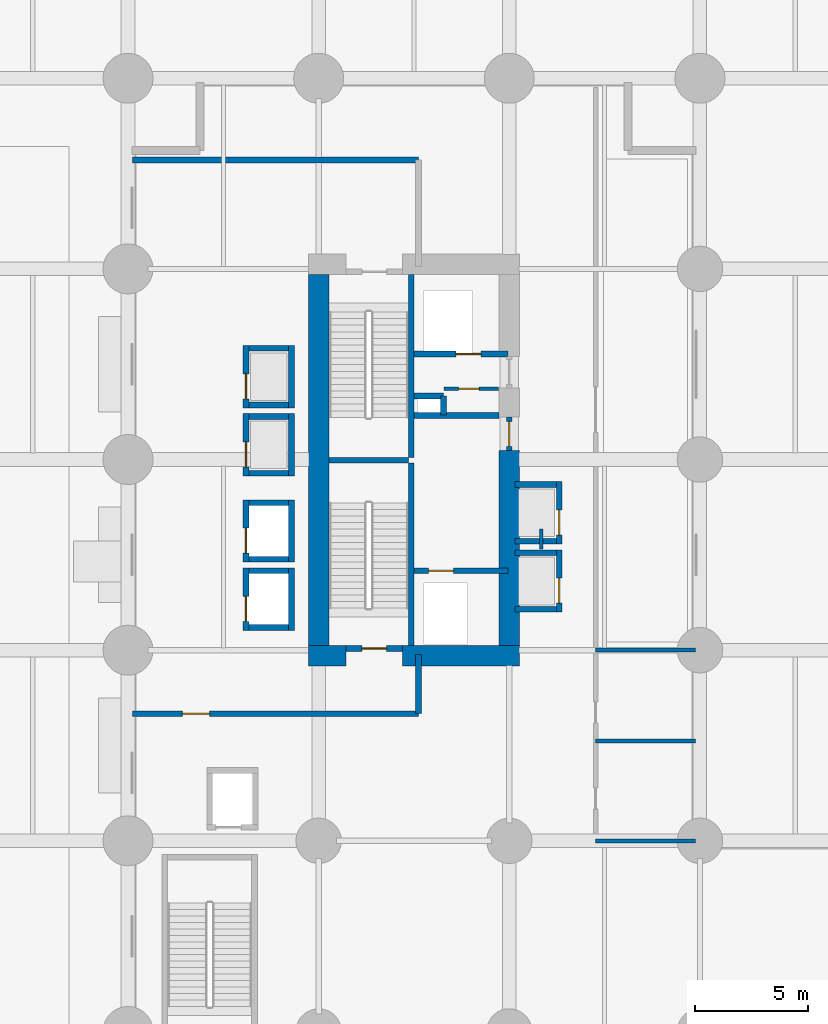
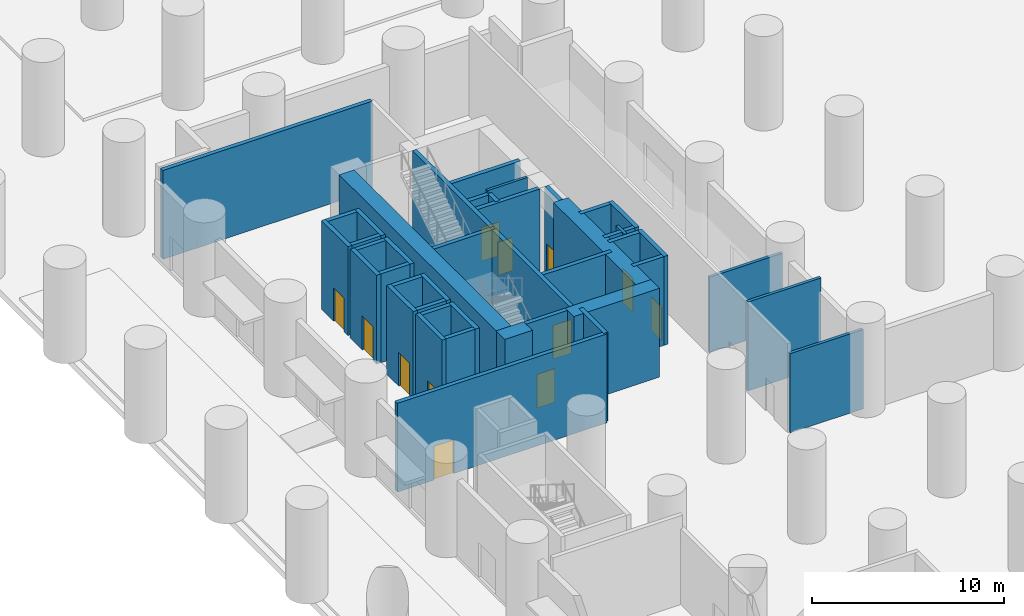
# One storey, part 7 of 13: 44 walls, 12 doors, 12 openings.
"""IFC4 building model written with IfcOpenShell, lengths in metres."""

import ifcopenshell
import ifcopenshell.guid

model = None  # the IFC model being written
_history = None  # IfcOwnerHistory: only IFC2X3 demands one
_inside = {}  # id of a spatial element -> (the spatial element, [elements in it])
_under = {}  # id of a project, library or spatial element -> (it, [spatial elements below it])
_declared = {}  # id of a project -> (the project, [libraries it declares])
_typed = {}  # id of a type object -> (the type object, [elements of that type])
_made_of = {}  # id of a material, layer set ... -> (it, [elements and type objects made of it])


def new_model(schema):
    """Start an empty IFC model of exactly this schema.

    Asked for "IFC4X3", IfcOpenShell would pick the latest addendum, in which some entities
    have other attributes; the version numbers below select the first issue.
    IFC2X3 requires an IfcOwnerHistory on every rooted entity: one is made here for all.
    """
    global model, _history
    if schema == "IFC4X3":
        model = ifcopenshell.file(schema_version=(4, 3, 0, 0))
    else:
        model = ifcopenshell.file(schema=schema)
    _inside.clear()
    _under.clear()
    _declared.clear()
    _typed.clear()
    _made_of.clear()
    _history = None
    if model.schema == "IFC2X3":
        org = make("IfcOrganization", Name="unknown")
        user = make(
            "IfcPersonAndOrganization",
            ThePerson=make("IfcPerson", FamilyName="unknown"),
            TheOrganization=org,
        )
        app = make(
            "IfcApplication",
            ApplicationDeveloper=org,
            Version="unknown",
            ApplicationFullName="unknown",
            ApplicationIdentifier="unknown",
        )
        _history = make(
            "IfcOwnerHistory",
            OwningUser=user,
            OwningApplication=app,
            ChangeAction="ADDED",
            CreationDate=0,
        )
    return model


def make(cls, **values):
    """One entity of the class cls with the attributes given. An attribute that is None is left unset."""
    return model.create_entity(
        cls, **{name: value for name, value in values.items() if value is not None}
    )


def rooted(cls, **values):
    """An entity with a GlobalId (a new one), such as an element, a storey or a relation."""
    return make(cls, GlobalId=ifcopenshell.guid.new(), OwnerHistory=_history, **values)


def si_unit(unit_type, name, prefix=None):
    """IfcSIUnit, for example si_unit("LENGTHUNIT", "METRE", prefix="MILLI")."""
    return make("IfcSIUnit", UnitType=unit_type, Prefix=prefix, Name=name)


def assignment(units):
    """IfcUnitAssignment: the units of a project."""
    return None if units is None else make("IfcUnitAssignment", Units=units)


def point(xyz):
    """IfcCartesianPoint."""
    return None if xyz is None else make("IfcCartesianPoint", Coordinates=xyz)


def direction(xyz):
    """IfcDirection."""
    return None if xyz is None else make("IfcDirection", DirectionRatios=xyz)


def frame(location, z_axis=None, x_axis=None):
    """IfcAxis2Placement3D, a coordinate frame: its origin and axes. An axis left out is left unset."""
    return make(
        "IfcAxis2Placement3D",
        Location=point(location),
        Axis=direction(z_axis),
        RefDirection=direction(x_axis),
    )


def frame_2d(location, x_axis=None):
    """IfcAxis2Placement2D, a coordinate frame in the plane: its origin and x axis."""
    return make(
        "IfcAxis2Placement2D", Location=point(location), RefDirection=direction(x_axis)
    )


def origin():
    """The frame at (0, 0, 0) with its axes left unset."""
    return frame((0.0, 0.0, 0.0))


def place(relative_to, where):
    """IfcLocalPlacement: puts the frame where relative to a parent placement (None: the world)."""
    return make(
        "IfcLocalPlacement", PlacementRelTo=relative_to, RelativePlacement=where
    )


def context(
    kind, dimensions, precision=None, world=None, true_north=None, identifier=None
):
    """IfcGeometricRepresentationContext, for example the 3D "Model" context."""
    return make(
        "IfcGeometricRepresentationContext",
        ContextIdentifier=identifier,
        ContextType=kind,
        CoordinateSpaceDimension=dimensions,
        Precision=precision,
        WorldCoordinateSystem=world,
        TrueNorth=true_north,
    )


def subcontext(parent, identifier, kind, view, scale=None):
    """IfcGeometricRepresentationSubContext, for example "Body" below "Model"."""
    return make(
        "IfcGeometricRepresentationSubContext",
        ContextIdentifier=identifier,
        ContextType=kind,
        ParentContext=parent,
        TargetScale=scale,
        TargetView=view,
    )


def project(units=None, contexts=None):
    """IfcProject with its units and contexts."""
    return rooted(
        "IfcProject",
        Name="project",
        RepresentationContexts=contexts,
        UnitsInContext=assignment(units),
    )


def spatial(cls, under=None, at=None, **own):
    """A site, building, storey or space (cls), placed at a placement, below another one or the project."""
    s = rooted(cls, ObjectPlacement=at, **own)
    if under is not None:
        _under.setdefault(under.id(), (under, []))[1].append(s)
    return s


def profile(cls, at=None, kind="AREA", **sizes):
    """A parametric profile (cls). Its sizes go by their IFC names, for example OverallWidth=200.0."""
    return make(cls, ProfileType=kind, Position=at, **sizes)


def rectangle(**sizes):
    """IfcRectangleProfileDef."""
    return profile("IfcRectangleProfileDef", **sizes)


def extrude(swept, where, along, depth):
    """IfcExtrudedAreaSolid: the profile swept, set in the frame where, extruded along a direction by depth."""
    return make(
        "IfcExtrudedAreaSolid",
        SweptArea=swept,
        Position=where,
        ExtrudedDirection=direction(along),
        Depth=depth,
    )


def shape(context_of_items, identifier, shape_type, items):
    """IfcShapeRepresentation: the items that make up one representation, for example the "Body"."""
    return make(
        "IfcShapeRepresentation",
        ContextOfItems=context_of_items,
        RepresentationIdentifier=identifier,
        RepresentationType=shape_type,
        Items=items,
    )


def material(Name=None, Category=None):
    """IfcMaterial."""
    return make("IfcMaterial", Name=Name, Category=Category)


def layer(
    of_material, thickness, ventilated=None, Name=None, Category=None, Priority=None
):
    """IfcMaterialLayer: one layer of a wall or slab, of a material (None: an air gap)."""
    return make(
        "IfcMaterialLayer",
        Material=of_material,
        LayerThickness=thickness,
        IsVentilated=ventilated,
        Name=Name,
        Category=Category,
        Priority=Priority,
    )


def layer_set(layers, Name=None):
    """IfcMaterialLayerSet."""
    return make("IfcMaterialLayerSet", MaterialLayers=layers, LayerSetName=Name)


def made_of(thing, what):
    """Note that an element or type object is made of a material, layer set ...; save() writes the relation."""
    if what is not None:
        _made_of.setdefault(what.id(), (what, []))[1].append(thing)
    return thing


def type_object(cls, material=None, **own):
    """A type object (cls), such as IfcWallType, which elements share."""
    return made_of(rooted(cls, **own), material)


def element(
    cls,
    number,
    at=None,
    inside=None,
    cuts=None,
    type_object=None,
    material=None,
    context=None,
    identifier="Body",
    shape_type=None,
    held_by="IfcProductDefinitionShape",
    body=None,
    shapes=None,
    **own,
):
    """One element of the class cls, such as IfcWall. Its Tag is "e" and its number.

    at: its placement. inside: the storey or other place that contains it. cuts: it is an
    opening in that element (IfcRelVoidsElement). A single representation is given by context,
    identifier, shape_type and body (its items); several are given by shapes. held_by: the class
    of the entity that holds the representations. save() writes the other relations.
    """
    e = rooted(cls, Tag="e%d" % number, ObjectPlacement=at, **own)
    if body is not None:
        shapes = [shape(context, identifier, shape_type, body)]
    if shapes is not None:
        e.Representation = make(held_by, Representations=shapes)
    if inside is not None:
        _inside.setdefault(inside.id(), (inside, []))[1].append(e)
    if cuts is not None:
        rooted(
            "IfcRelVoidsElement", RelatingBuildingElement=cuts, RelatedOpeningElement=e
        )
    if type_object is not None:
        _typed.setdefault(type_object.id(), (type_object, []))[1].append(e)
    return made_of(e, material)


def fill(opening, filler):
    """IfcRelFillsElement: the door or window that sits in an opening."""
    return rooted(
        "IfcRelFillsElement",
        RelatingOpeningElement=opening,
        RelatedBuildingElement=filler,
    )


def aggregate(whole, parts):
    """IfcRelAggregates: a whole, such as a stair, and the parts it consists of."""
    return rooted("IfcRelAggregates", RelatingObject=whole, RelatedObjects=parts)


def save(model, path):
    """Write the relations noted so far, then the file.

    IfcRelAggregates (storeys below a building ...), IfcRelContainedInSpatialStructure (elements
    in a storey), IfcRelDefinesByType, IfcRelAssociatesMaterial and IfcRelDeclares: one each for
    every whole, place, type object, material and project.
    """
    for whole, parts in _under.values():
        aggregate(whole, parts)
    for where, things in _inside.values():
        rooted(
            "IfcRelContainedInSpatialStructure",
            RelatedElements=things,
            RelatingStructure=where,
        )
    for kind, things in _typed.values():
        rooted("IfcRelDefinesByType", RelatedObjects=things, RelatingType=kind)
    for what, things in _made_of.values():
        rooted("IfcRelAssociatesMaterial", RelatedObjects=things, RelatingMaterial=what)
    for by, libraries in _declared.values():
        rooted("IfcRelDeclares", RelatingContext=by, RelatedDefinitions=libraries)
    model.write(path)


model = new_model("IFC4")

# Units and contexts
model_context = context("Model", 3, precision=1e-05, world=origin(), true_north=direction((0.0, 1.0)))
body_context = subcontext(model_context, "Body", "Model", "MODEL_VIEW")
ifc_project = project(units=[si_unit("LENGTHUNIT", "METRE"), si_unit("AREAUNIT", "SQUARE_METRE"), si_unit("VOLUMEUNIT", "CUBIC_METRE"), si_unit("PLANEANGLEUNIT", "RADIAN"), si_unit("MASSUNIT", "GRAM", prefix="KILO")], contexts=[model_context])

# Site, building, storey
site_placement = place(None, origin())
site = spatial("IfcSite", under=ifc_project, at=site_placement, CompositionType="ELEMENT")
building_placement = place(site_placement, origin())
building = spatial("IfcBuilding", under=site, at=building_placement, Name="Koriwani Terraces Tower", CompositionType="ELEMENT")
storey_placement = place(building_placement, origin())
storey = spatial("IfcBuildingStorey", under=building, at=storey_placement, Name="L00", CompositionType="ELEMENT", Elevation=0.0)

# Walls
ifc_material_1 = material(Name="Concrete C60/75", Category="concrete")
ifc_layer_1 = layer(ifc_material_1, 0.89990234375, Name="Concrete C60/75")
ifc_layer_set_1 = layer_set([ifc_layer_1], Name="Concrete C60/75")
wall_type_1 = type_object("IfcWallType", Name="WALL_CORE_RC_900", PredefinedType="SHEAR", material=ifc_layer_set_1)
wall_1_placement = place(storey_placement, frame((16.35009765625, 41.75, 0.0), z_axis=(0.0, 0.0, 1.0), x_axis=(1.0, 0.0, 0.0)))
element("IfcWall", 1, at=wall_1_placement, inside=storey, type_object=wall_type_1, Name="L00 West Split Core Shear Wall S1", PredefinedType="SHEAR", context=body_context, shape_type="SweptSolid", body=[
    extrude(rectangle(XDim=1.64990234375, YDim=0.89990234375, at=frame_2d((0.824951171875, 0.0))), origin(), (0.0, 0.0, 1.0), 5.64990234375),
])
wall_2_placement = place(storey_placement, frame((20.5, 41.75, 0.0), z_axis=(0.0, 0.0, 1.0), x_axis=(1.0, 0.0, 0.0)))
element("IfcWall", 2, at=wall_2_placement, inside=storey, type_object=wall_type_1, Name="L00 West Split Core Shear Wall S2", PredefinedType="SHEAR", context=body_context, shape_type="SweptSolid", body=[
    extrude(rectangle(XDim=5.14990234375, YDim=0.89990234375, at=frame_2d((2.574951171875, 0.0))), origin(), (0.0, 0.0, 1.0), 5.64990234375),
])
wall_3_placement = place(storey_placement, frame((16.800048828125, 42.199951171875, 0.0), z_axis=(0.0, 0.0, 1.0), x_axis=(0.0, 1.0, 0.0)))
element("IfcWall", 3, at=wall_3_placement, inside=storey, type_object=wall_type_1, Name="L00 West Split Core Shear Wall W1", PredefinedType="SHEAR", context=body_context, shape_type="SweptSolid", body=[
    extrude(rectangle(XDim=16.35009765625, YDim=0.89990234375, at=frame_2d((8.175048828125, 0.0))), origin(), (0.0, 0.0, 1.0), 5.64990234375),
])
wall_4_placement = place(storey_placement, frame((25.199951171875, 42.199951171875, 0.0), z_axis=(0.0, 0.0, 1.0), x_axis=(0.0, 1.0, 0.0)))
element("IfcWall", 4, at=wall_4_placement, inside=storey, type_object=wall_type_1, Name="L00 West Split Core Shear Wall E1", PredefinedType="SHEAR", context=body_context, shape_type="SweptSolid", body=[
    extrude(rectangle(XDim=8.60009765625, YDim=0.89990234375, at=frame_2d((4.300048828125, 0.0))), origin(), (0.0, 0.0, 1.0), 5.64990234375),
])
ifc_material_2 = material(Name="Fire-Rated Acoustic Gypsum Partition", Category="masonry")
ifc_layer_2 = layer(ifc_material_2, 0.179931640625, Name="Fire-Rated Acoustic Gypsum Partition")
ifc_layer_set_2 = layer_set([ifc_layer_2], Name="Fire-Rated Acoustic Gypsum Partition")
wall_type_2 = type_object("IfcWallType", Name="WALL_PLUMBING_180", PredefinedType="PLUMBINGWALL", material=ifc_layer_set_2)
wall_5_placement = place(storey_placement, frame((29.0, 33.60009765625, 0.0), z_axis=(0.0, 0.0, 1.0), x_axis=(1.0, 0.0, 0.0)))
element("IfcWall", 5, at=wall_5_placement, inside=storey, type_object=wall_type_2, Name="L00 Interior Wall WL00-WC-S", PredefinedType="PLUMBINGWALL", context=body_context, shape_type="SweptSolid", body=[
    extrude(rectangle(XDim=4.39990234375, YDim=0.179931640625, at=frame_2d((2.199951171875, 0.0))), origin(), (0.0, 0.0, 1.0), 5.0390625),
])
wall_6_placement = place(storey_placement, frame((29.0, 38.0, 0.0), z_axis=(0.0, 0.0, 1.0), x_axis=(1.0, 0.0, 0.0)))
element("IfcWall", 6, at=wall_6_placement, inside=storey, type_object=wall_type_2, Name="L00 Interior Wall WL00-WC-MID", PredefinedType="PLUMBINGWALL", context=body_context, shape_type="SweptSolid", body=[
    extrude(rectangle(XDim=4.39990234375, YDim=0.179931640625, at=frame_2d((2.199951171875, 0.0))), origin(), (0.0, 0.0, 1.0), 5.64990234375),
])
wall_7_placement = place(storey_placement, frame((29.0, 42.0, 0.0), z_axis=(0.0, 0.0, 1.0), x_axis=(1.0, 0.0, 0.0)))
element("IfcWall", 7, at=wall_7_placement, inside=storey, type_object=wall_type_2, Name="L00 Interior Wall WL00-WC-TOP", PredefinedType="PLUMBINGWALL", context=body_context, shape_type="SweptSolid", body=[
    extrude(rectangle(XDim=4.39990234375, YDim=0.179931640625, at=frame_2d((2.199951171875, 0.0))), origin(), (0.0, 0.0, 1.0), 4.800048828125),
])
ifc_material_3 = material(Name="Concrete C40/50", Category="concrete")
ifc_layer_3 = layer(ifc_material_3, 0.25, Name="Concrete C40/50")
ifc_layer_set_3 = layer_set([ifc_layer_3], Name="Concrete C40/50")
wall_type_3 = type_object("IfcWallType", Name="WALL_SHAFT_RATED_250", PredefinedType="SOLIDWALL", material=ifc_layer_set_3)
for number, where, z_axis, x_axis, name in (
    (8, (20.875, 42.199951171875, 0.0), (0.0, 0.0, 1.0), (0.0, 1.0, 0.0), "L00 West Split Core Web Wall MID1"),
    (9, (20.875, 50.5, 0.0), (0.0, 0.0, 1.0), (0.0, 1.0, 0.0), "L00 West Split Core Web Wall MID2"),
):
    element("IfcWall", number, at=place(storey_placement, frame(where, z_axis=z_axis, x_axis=x_axis)), inside=storey, type_object=wall_type_3, Name=name, PredefinedType="SOLIDWALL", context=body_context, shape_type="SweptSolid", body=[
        extrude(rectangle(XDim=8.050048828125, YDim=0.25, at=frame_2d((4.02490234375, 0.0))), origin(), (0.0, 0.0, 1.0), 5.64990234375),
    ])
wall_8_placement = place(storey_placement, frame((17.25, 50.375, 0.0), z_axis=(0.0, 0.0, 1.0), x_axis=(1.0, 0.0, 0.0)))
element("IfcWall", 10, at=wall_8_placement, inside=storey, type_object=wall_type_3, Name="L00 West Split Core Stair Dividing Wall", PredefinedType="SOLIDWALL", context=body_context, shape_type="SweptSolid", body=[
    extrude(rectangle(XDim=3.5, YDim=0.25, at=frame_2d((1.75, 0.0))), origin(), (0.0, 0.0, 1.0), 5.64990234375),
])

# Wall, opening, door
wall_9_placement = place(storey_placement, frame((18.0, 42.074951171875, 0.0), z_axis=(0.0, 0.0, 1.0), x_axis=(1.0, 0.0, 0.0)))
wall_9 = element("IfcWall", 11, at=wall_9_placement, inside=storey, type_object=wall_type_3, Name="L00 Interior Wall WIN-CW-L00-STS", PredefinedType="SOLIDWALL", context=body_context, shape_type="SweptSolid", body=[
    extrude(rectangle(XDim=2.5, YDim=0.25, at=frame_2d((1.25, 0.0))), origin(), (0.0, 0.0, 1.0), 5.64990234375),
])
opening_1_placement = place(wall_9_placement, frame((0.699951171875, 0.0, 0.0)))
opening_1 = element("IfcOpeningElement", 12, at=opening_1_placement, cuts=wall_9, Name="Opening D-03", PredefinedType="OPENING", context=body_context, shape_type="SweptSolid", body=[
    extrude(rectangle(XDim=1.10009765625, YDim=2.14990234375, at=frame_2d((0.550048828125, 1.074951171875))), frame((0.0, 0.135009765625, 0.0), z_axis=(0.0, -1.0, 0.0), x_axis=(1.0, 0.0, 0.0)), (0.0, 0.0, 1.0), 0.27001953125),
])
ifc_material_4 = material(Name="Steel ASTM A572 Grade 50", Category="steel")
door_type_1 = type_object("IfcDoorType", Name="DOOR_STAIR_FIRE_1100X2150", OperationType="NOTDEFINED", PredefinedType="DOOR", material=ifc_material_4)
door_1_placement = place(opening_1_placement, origin())
door_1 = element("IfcDoor", 13, at=door_1_placement, inside=storey, type_object=door_type_1, Name="L00 Exit Stair ST-W1 Door", OperationType="SINGLE_SWING_RIGHT", OverallHeight=2.14990234375, OverallWidth=1.10009765625, PredefinedType="DOOR", context=body_context, shape_type="SweptSolid", body=[
    extrude(rectangle(XDim=1.10009765625, YDim=2.14990234375, at=frame_2d((0.550048828125, 1.074951171875))), frame((0.0, 0.02490234375, 0.0), z_axis=(0.0, -1.0, 0.0), x_axis=(1.0, 0.0, 0.0)), (0.0, 0.0, 1.0), 0.050048828125),
])
fill(opening_1, door_1)

wall_10_placement = place(storey_placement, frame((21.0, 45.5, 0.0), z_axis=(0.0, 0.0, 1.0), x_axis=(1.0, 0.0, 0.0)))
wall_10 = element("IfcWall", 14, at=wall_10_placement, inside=storey, type_object=wall_type_3, Name="L00 Interior Wall WIN-CW-L00-FE", PredefinedType="SOLIDWALL", context=body_context, shape_type="SweptSolid", body=[
    extrude(rectangle(XDim=4.14990234375, YDim=0.25, at=frame_2d((2.074951171875, 0.0))), origin(), (0.0, 0.0, 1.0), 5.64990234375),
])
opening_2_placement = place(wall_10_placement, frame((0.64990234375, 0.0, 0.0)))
opening_2 = element("IfcOpeningElement", 15, at=opening_2_placement, cuts=wall_10, Name="Opening LD-01", PredefinedType="OPENING", context=body_context, shape_type="SweptSolid", body=[
    extrude(rectangle(XDim=1.10009765625, YDim=2.14990234375, at=frame_2d((0.550048828125, 1.074951171875))), frame((0.0, 0.135009765625, 0.0), z_axis=(0.0, -1.0, 0.0), x_axis=(1.0, 0.0, 0.0)), (0.0, 0.0, 1.0), 0.27001953125),
])
door_type_2 = type_object("IfcDoorType", Name="DOOR_LIFT_LANDING_1100X2200", OperationType="NOTDEFINED", PredefinedType="DOOR", material=ifc_material_4)
door_2_placement = place(opening_2_placement, origin())
door_2 = element("IfcDoor", 16, at=door_2_placement, inside=storey, type_object=door_type_2, Name="L00 Firefighting Lift FE-01 Landing Door", OperationType="SLIDING_TO_LEFT", OverallHeight=2.14990234375, OverallWidth=1.10009765625, PredefinedType="DOOR", context=body_context, shape_type="SweptSolid", body=[
    extrude(rectangle(XDim=1.10009765625, YDim=2.14990234375, at=frame_2d((0.550048828125, 1.074951171875))), frame((0.0, 0.02490234375, 0.0), z_axis=(0.0, -1.0, 0.0), x_axis=(1.0, 0.0, 0.0)), (0.0, 0.0, 1.0), 0.050048828125),
])
fill(opening_2, door_2)

wall_11_placement = place(storey_placement, frame((25.199951171875, 50.800048828125, 0.0), z_axis=(0.0, 0.0, 1.0), x_axis=(0.0, 1.0, 0.0)))
wall_11 = element("IfcWall", 17, at=wall_11_placement, inside=storey, type_object=wall_type_3, Name="L00 Interior Wall WIN-CW-L00-EP", PredefinedType="SOLIDWALL", context=body_context, shape_type="SweptSolid", body=[
    extrude(rectangle(XDim=1.47998046875, YDim=0.25, at=frame_2d((0.739990234375, 0.0))), origin(), (0.0, 0.0, 1.0), 5.64990234375),
])
opening_3_placement = place(wall_11_placement, frame((0.179931640625, 0.0, 0.0)))
opening_3 = element("IfcOpeningElement", 18, at=opening_3_placement, cuts=wall_11, Name="Opening D-03", PredefinedType="OPENING", context=body_context, shape_type="SweptSolid", body=[
    extrude(rectangle(XDim=1.10009765625, YDim=2.14990234375, at=frame_2d((0.550048828125, 1.074951171875))), frame((0.0, 0.135009765625, 0.0), z_axis=(0.0, -1.0, 0.0), x_axis=(1.0, 0.0, 0.0)), (0.0, 0.0, 1.0), 0.27001953125),
])
door_3_placement = place(opening_3_placement, origin())
door_3 = element("IfcDoor", 19, at=door_3_placement, inside=storey, type_object=door_type_1, Name="L00 West Firefighting Lobby Door", OperationType="SINGLE_SWING_RIGHT", OverallHeight=2.14990234375, OverallWidth=1.10009765625, PredefinedType="DOOR", context=body_context, shape_type="SweptSolid", body=[
    extrude(rectangle(XDim=1.10009765625, YDim=2.14990234375, at=frame_2d((0.550048828125, 1.074951171875))), frame((0.0, 0.02490234375, 0.0), z_axis=(0.0, -1.0, 0.0), x_axis=(1.0, 0.0, 0.0)), (0.0, 0.0, 1.0), 0.050048828125),
])
fill(opening_3, door_3)

# Wall
wall_12_placement = place(storey_placement, frame((21.0, 52.340087890625, 0.0), z_axis=(0.0, 0.0, 1.0), x_axis=(1.0, 0.0, 0.0)))
element("IfcWall", 20, at=wall_12_placement, inside=storey, type_object=wall_type_3, Name="L00 Interior Wall WIN-CW-L00-FFN", PredefinedType="SOLIDWALL", context=body_context, shape_type="SweptSolid", body=[
    extrude(rectangle(XDim=3.75, YDim=0.25, at=frame_2d((1.875, 0.0))), origin(), (0.0, 0.0, 1.0), 5.64990234375),
])

# Wall, opening, door
wall_13_placement = place(storey_placement, frame((21.0, 55.050048828125, 0.0), z_axis=(0.0, 0.0, 1.0), x_axis=(1.0, 0.0, 0.0)))
wall_13 = element("IfcWall", 21, at=wall_13_placement, inside=storey, type_object=wall_type_3, Name="L00 Interior Wall WIN-CW-L00-SE", PredefinedType="SOLIDWALL", context=body_context, shape_type="SweptSolid", body=[
    extrude(rectangle(XDim=4.14990234375, YDim=0.25, at=frame_2d((2.074951171875, 0.0))), origin(), (0.0, 0.0, 1.0), 5.64990234375),
])
opening_4_placement = place(wall_13_placement, frame((1.85009765625, 0.0, 0.0)))
opening_4 = element("IfcOpeningElement", 22, at=opening_4_placement, cuts=wall_13, Name="Opening LD-01", PredefinedType="OPENING", context=body_context, shape_type="SweptSolid", body=[
    extrude(rectangle(XDim=1.10009765625, YDim=2.14990234375, at=frame_2d((0.550048828125, 1.074951171875))), frame((0.0, 0.135009765625, 0.0), z_axis=(0.0, -1.0, 0.0), x_axis=(1.0, 0.0, 0.0)), (0.0, 0.0, 1.0), 0.27001953125),
])
door_4_placement = place(opening_4_placement, origin())
door_4 = element("IfcDoor", 23, at=door_4_placement, inside=storey, type_object=door_type_2, Name="L00 Goods Lift SE-01 Landing Door", OperationType="SLIDING_TO_LEFT", OverallHeight=2.14990234375, OverallWidth=1.10009765625, PredefinedType="DOOR", context=body_context, shape_type="SweptSolid", body=[
    extrude(rectangle(XDim=1.10009765625, YDim=2.14990234375, at=frame_2d((0.550048828125, 1.074951171875))), frame((0.0, 0.02490234375, 0.0), z_axis=(0.0, -1.0, 0.0), x_axis=(1.0, 0.0, 0.0)), (0.0, 0.0, 1.0), 0.050048828125),
])
fill(opening_4, door_4)

# Walls
wall_14_placement = place(storey_placement, frame((21.0, 53.199951171875, 0.0), z_axis=(0.0, 0.0, 1.0), x_axis=(1.0, 0.0, 0.0)))
element("IfcWall", 24, at=wall_14_placement, inside=storey, type_object=wall_type_3, Name="L00 Interior Wall WIN-CW-L00-RS1", PredefinedType="SOLIDWALL", context=body_context, shape_type="SweptSolid", body=[
    extrude(rectangle(XDim=1.300048828125, YDim=0.25, at=frame_2d((0.64990234375, 0.0))), origin(), (0.0, 0.0, 1.0), 5.64990234375),
])
wall_15_placement = place(storey_placement, frame((22.300048828125, 52.360107421875, 0.0), z_axis=(0.0, 0.0, 1.0), x_axis=(0.0, 1.0, 0.0)))
element("IfcWall", 25, at=wall_15_placement, inside=storey, type_object=wall_type_3, Name="L00 Interior Wall WIN-CW-L00-RS2", PredefinedType="SOLIDWALL", context=body_context, shape_type="SweptSolid", body=[
    extrude(rectangle(XDim=0.83984375, YDim=0.25, at=frame_2d((0.419921875, 0.0))), origin(), (0.0, 0.0, 1.0), 5.64990234375),
])

# Wall, opening, door
wall_16_placement = place(storey_placement, frame((13.60009765625, 42.875, 0.0), z_axis=(0.0, 0.0, 1.0), x_axis=(0.0, 1.0, 0.0)))
wall_16 = element("IfcWall", 26, at=wall_16_placement, inside=storey, type_object=wall_type_3, Name="L00 Interior Wall WIN-LF-PE-L1-L00-F", PredefinedType="SOLIDWALL", context=body_context, shape_type="SweptSolid", body=[
    extrude(rectangle(XDim=2.75, YDim=0.25, at=frame_2d((1.375, 0.0))), origin(), (0.0, 0.0, 1.0), 5.64990234375),
])
opening_5_placement = place(wall_16_placement, frame((0.39990234375, 0.0, 0.0)))
opening_5 = element("IfcOpeningElement", 27, at=opening_5_placement, cuts=wall_16, Name="Opening LD-01", PredefinedType="OPENING", context=body_context, shape_type="SweptSolid", body=[
    extrude(rectangle(XDim=1.10009765625, YDim=2.14990234375, at=frame_2d((0.550048828125, 1.074951171875))), frame((0.0, 0.135009765625, 0.0), z_axis=(0.0, -1.0, 0.0), x_axis=(1.0, 0.0, 0.0)), (0.0, 0.0, 1.0), 0.27001953125),
])
door_5_placement = place(opening_5_placement, origin())
door_5 = element("IfcDoor", 28, at=door_5_placement, inside=storey, type_object=door_type_2, Name="L00 Passenger Lift PE-L1 Landing Door", OperationType="SLIDING_TO_LEFT", OverallHeight=2.14990234375, OverallWidth=1.10009765625, PredefinedType="DOOR", context=body_context, shape_type="SweptSolid", body=[
    extrude(rectangle(XDim=1.10009765625, YDim=2.14990234375, at=frame_2d((0.550048828125, 1.074951171875))), frame((0.0, 0.02490234375, 0.0), z_axis=(0.0, -1.0, 0.0), x_axis=(1.0, 0.0, 0.0)), (0.0, 0.0, 1.0), 0.050048828125),
])
fill(opening_5, door_5)

# Walls
wall_17_placement = place(storey_placement, frame((15.60009765625, 42.875, 0.0), z_axis=(0.0, 0.0, 1.0), x_axis=(0.0, 1.0, 0.0)))
element("IfcWall", 29, at=wall_17_placement, inside=storey, type_object=wall_type_3, Name="L00 Interior Wall WIN-LF-PE-L1-L00-B", PredefinedType="SOLIDWALL", context=body_context, shape_type="SweptSolid", body=[
    extrude(rectangle(XDim=2.75, YDim=0.25, at=frame_2d((1.375, 0.0))), origin(), (0.0, 0.0, 1.0), 5.64990234375),
])
for number, where, z_axis, x_axis, name in (
    (30, (13.72509765625, 43.0, 0.0), (0.0, 0.0, 1.0), (1.0, 0.0, 0.0), "L00 Interior Wall WIN-LF-PE-L1-L00-S"),
    (31, (13.72509765625, 45.5, 0.0), (0.0, 0.0, 1.0), (1.0, 0.0, 0.0), "L00 Interior Wall WIN-LF-PE-L1-L00-N"),
):
    element("IfcWall", number, at=place(storey_placement, frame(where, z_axis=z_axis, x_axis=x_axis)), inside=storey, type_object=wall_type_3, Name=name, PredefinedType="SOLIDWALL", context=body_context, shape_type="SweptSolid", body=[
        extrude(rectangle(XDim=1.75, YDim=0.25, at=frame_2d((0.875, 0.0))), origin(), (0.0, 0.0, 1.0), 5.64990234375),
    ])

# Wall, opening, door
wall_18_placement = place(storey_placement, frame((13.60009765625, 45.875, 0.0), z_axis=(0.0, 0.0, 1.0), x_axis=(0.0, 1.0, 0.0)))
wall_18 = element("IfcWall", 32, at=wall_18_placement, inside=storey, type_object=wall_type_3, Name="L00 Interior Wall WIN-LF-PE-L2-L00-F", PredefinedType="SOLIDWALL", context=body_context, shape_type="SweptSolid", body=[
    extrude(rectangle(XDim=2.75, YDim=0.25, at=frame_2d((1.375, 0.0))), origin(), (0.0, 0.0, 1.0), 5.64990234375),
])
opening_6_placement = place(wall_18_placement, frame((0.39990234375, 0.0, 0.0)))
opening_6 = element("IfcOpeningElement", 33, at=opening_6_placement, cuts=wall_18, Name="Opening LD-01", PredefinedType="OPENING", context=body_context, shape_type="SweptSolid", body=[
    extrude(rectangle(XDim=1.10009765625, YDim=2.14990234375, at=frame_2d((0.550048828125, 1.074951171875))), frame((0.0, 0.135009765625, 0.0), z_axis=(0.0, -1.0, 0.0), x_axis=(1.0, 0.0, 0.0)), (0.0, 0.0, 1.0), 0.27001953125),
])
door_6_placement = place(opening_6_placement, origin())
door_6 = element("IfcDoor", 34, at=door_6_placement, inside=storey, type_object=door_type_2, Name="L00 Passenger Lift PE-L2 Landing Door", OperationType="SLIDING_TO_LEFT", OverallHeight=2.14990234375, OverallWidth=1.10009765625, PredefinedType="DOOR", context=body_context, shape_type="SweptSolid", body=[
    extrude(rectangle(XDim=1.10009765625, YDim=2.14990234375, at=frame_2d((0.550048828125, 1.074951171875))), frame((0.0, 0.02490234375, 0.0), z_axis=(0.0, -1.0, 0.0), x_axis=(1.0, 0.0, 0.0)), (0.0, 0.0, 1.0), 0.050048828125),
])
fill(opening_6, door_6)

# Walls
wall_19_placement = place(storey_placement, frame((15.60009765625, 45.875, 0.0), z_axis=(0.0, 0.0, 1.0), x_axis=(0.0, 1.0, 0.0)))
element("IfcWall", 35, at=wall_19_placement, inside=storey, type_object=wall_type_3, Name="L00 Interior Wall WIN-LF-PE-L2-L00-B", PredefinedType="SOLIDWALL", context=body_context, shape_type="SweptSolid", body=[
    extrude(rectangle(XDim=2.75, YDim=0.25, at=frame_2d((1.375, 0.0))), origin(), (0.0, 0.0, 1.0), 5.64990234375),
])
for number, where, z_axis, x_axis, name in (
    (36, (13.72509765625, 46.0, 0.0), (0.0, 0.0, 1.0), (1.0, 0.0, 0.0), "L00 Interior Wall WIN-LF-PE-L2-L00-S"),
    (37, (13.72509765625, 48.5, 0.0), (0.0, 0.0, 1.0), (1.0, 0.0, 0.0), "L00 Interior Wall WIN-LF-PE-L2-L00-N"),
):
    element("IfcWall", number, at=place(storey_placement, frame(where, z_axis=z_axis, x_axis=x_axis)), inside=storey, type_object=wall_type_3, Name=name, PredefinedType="SOLIDWALL", context=body_context, shape_type="SweptSolid", body=[
        extrude(rectangle(XDim=1.75, YDim=0.25, at=frame_2d((0.875, 0.0))), origin(), (0.0, 0.0, 1.0), 5.64990234375),
    ])

# Wall, opening, door
wall_20_placement = place(storey_placement, frame((13.60009765625, 49.675048828125, 0.0), z_axis=(0.0, 0.0, 1.0), x_axis=(0.0, 1.0, 0.0)))
wall_20 = element("IfcWall", 38, at=wall_20_placement, inside=storey, type_object=wall_type_3, Name="L00 Interior Wall WIN-LF-PE-M1-L00-F", PredefinedType="SOLIDWALL", context=body_context, shape_type="SweptSolid", body=[
    extrude(rectangle(XDim=2.75, YDim=0.25, at=frame_2d((1.375, 0.0))), origin(), (0.0, 0.0, 1.0), 5.64990234375),
])
opening_7_placement = place(wall_20_placement, frame((0.39990234375, 0.0, 0.0)))
opening_7 = element("IfcOpeningElement", 39, at=opening_7_placement, cuts=wall_20, Name="Opening LD-01", PredefinedType="OPENING", context=body_context, shape_type="SweptSolid", body=[
    extrude(rectangle(XDim=1.10009765625, YDim=2.14990234375, at=frame_2d((0.550048828125, 1.074951171875))), frame((0.0, 0.135009765625, 0.0), z_axis=(0.0, -1.0, 0.0), x_axis=(1.0, 0.0, 0.0)), (0.0, 0.0, 1.0), 0.27001953125),
])
door_7_placement = place(opening_7_placement, origin())
door_7 = element("IfcDoor", 40, at=door_7_placement, inside=storey, type_object=door_type_2, Name="L00 Passenger Lift PE-M1 Landing Door", OperationType="SLIDING_TO_LEFT", OverallHeight=2.14990234375, OverallWidth=1.10009765625, PredefinedType="DOOR", context=body_context, shape_type="SweptSolid", body=[
    extrude(rectangle(XDim=1.10009765625, YDim=2.14990234375, at=frame_2d((0.550048828125, 1.074951171875))), frame((0.0, 0.02490234375, 0.0), z_axis=(0.0, -1.0, 0.0), x_axis=(1.0, 0.0, 0.0)), (0.0, 0.0, 1.0), 0.050048828125),
])
fill(opening_7, door_7)

# Walls
wall_21_placement = place(storey_placement, frame((15.60009765625, 49.675048828125, 0.0), z_axis=(0.0, 0.0, 1.0), x_axis=(0.0, 1.0, 0.0)))
element("IfcWall", 41, at=wall_21_placement, inside=storey, type_object=wall_type_3, Name="L00 Interior Wall WIN-LF-PE-M1-L00-B", PredefinedType="SOLIDWALL", context=body_context, shape_type="SweptSolid", body=[
    extrude(rectangle(XDim=2.75, YDim=0.25, at=frame_2d((1.375, 0.0))), origin(), (0.0, 0.0, 1.0), 5.64990234375),
])
for number, where, z_axis, x_axis, name in (
    (42, (13.72509765625, 49.800048828125, 0.0), (0.0, 0.0, 1.0), (1.0, 0.0, 0.0), "L00 Interior Wall WIN-LF-PE-M1-L00-S"),
    (43, (13.72509765625, 52.300048828125, 0.0), (0.0, 0.0, 1.0), (1.0, 0.0, 0.0), "L00 Interior Wall WIN-LF-PE-M1-L00-N"),
):
    element("IfcWall", number, at=place(storey_placement, frame(where, z_axis=z_axis, x_axis=x_axis)), inside=storey, type_object=wall_type_3, Name=name, PredefinedType="SOLIDWALL", context=body_context, shape_type="SweptSolid", body=[
        extrude(rectangle(XDim=1.75, YDim=0.25, at=frame_2d((0.875, 0.0))), origin(), (0.0, 0.0, 1.0), 5.64990234375),
    ])

# Wall, opening, door
wall_22_placement = place(storey_placement, frame((13.60009765625, 52.675048828125, 0.0), z_axis=(0.0, 0.0, 1.0), x_axis=(0.0, 1.0, 0.0)))
wall_22 = element("IfcWall", 44, at=wall_22_placement, inside=storey, type_object=wall_type_3, Name="L00 Interior Wall WIN-LF-PE-M2-L00-F", PredefinedType="SOLIDWALL", context=body_context, shape_type="SweptSolid", body=[
    extrude(rectangle(XDim=2.75, YDim=0.25, at=frame_2d((1.375, 0.0))), origin(), (0.0, 0.0, 1.0), 5.64990234375),
])
opening_8_placement = place(wall_22_placement, frame((0.39990234375, 0.0, 0.0)))
opening_8 = element("IfcOpeningElement", 45, at=opening_8_placement, cuts=wall_22, Name="Opening LD-01", PredefinedType="OPENING", context=body_context, shape_type="SweptSolid", body=[
    extrude(rectangle(XDim=1.10009765625, YDim=2.14990234375, at=frame_2d((0.550048828125, 1.074951171875))), frame((0.0, 0.135009765625, 0.0), z_axis=(0.0, -1.0, 0.0), x_axis=(1.0, 0.0, 0.0)), (0.0, 0.0, 1.0), 0.27001953125),
])
door_8_placement = place(opening_8_placement, origin())
door_8 = element("IfcDoor", 46, at=door_8_placement, inside=storey, type_object=door_type_2, Name="L00 Passenger Lift PE-M2 Landing Door", OperationType="SLIDING_TO_LEFT", OverallHeight=2.14990234375, OverallWidth=1.10009765625, PredefinedType="DOOR", context=body_context, shape_type="SweptSolid", body=[
    extrude(rectangle(XDim=1.10009765625, YDim=2.14990234375, at=frame_2d((0.550048828125, 1.074951171875))), frame((0.0, 0.02490234375, 0.0), z_axis=(0.0, -1.0, 0.0), x_axis=(1.0, 0.0, 0.0)), (0.0, 0.0, 1.0), 0.050048828125),
])
fill(opening_8, door_8)

# Walls
wall_23_placement = place(storey_placement, frame((15.60009765625, 52.675048828125, 0.0), z_axis=(0.0, 0.0, 1.0), x_axis=(0.0, 1.0, 0.0)))
element("IfcWall", 47, at=wall_23_placement, inside=storey, type_object=wall_type_3, Name="L00 Interior Wall WIN-LF-PE-M2-L00-B", PredefinedType="SOLIDWALL", context=body_context, shape_type="SweptSolid", body=[
    extrude(rectangle(XDim=2.75, YDim=0.25, at=frame_2d((1.375, 0.0))), origin(), (0.0, 0.0, 1.0), 5.64990234375),
])
for number, where, z_axis, x_axis, name in (
    (48, (13.72509765625, 52.800048828125, 0.0), (0.0, 0.0, 1.0), (1.0, 0.0, 0.0), "L00 Interior Wall WIN-LF-PE-M2-L00-S"),
    (49, (13.72509765625, 55.300048828125, 0.0), (0.0, 0.0, 1.0), (1.0, 0.0, 0.0), "L00 Interior Wall WIN-LF-PE-M2-L00-N"),
):
    element("IfcWall", number, at=place(storey_placement, frame(where, z_axis=z_axis, x_axis=x_axis)), inside=storey, type_object=wall_type_3, Name=name, PredefinedType="SOLIDWALL", context=body_context, shape_type="SweptSolid", body=[
        extrude(rectangle(XDim=1.75, YDim=0.25, at=frame_2d((0.875, 0.0))), origin(), (0.0, 0.0, 1.0), 5.64990234375),
    ])

# Wall, opening, door
wall_24_placement = place(storey_placement, frame((27.39990234375, 43.675048828125, 0.0), z_axis=(0.0, 0.0, 1.0), x_axis=(0.0, 1.0, 0.0)))
wall_24 = element("IfcWall", 50, at=wall_24_placement, inside=storey, type_object=wall_type_3, Name="L00 Interior Wall WIN-LF-PE-H1-L00-F", PredefinedType="SOLIDWALL", context=body_context, shape_type="SweptSolid", body=[
    extrude(rectangle(XDim=2.75, YDim=0.25, at=frame_2d((1.375, 0.0))), origin(), (0.0, 0.0, 1.0), 5.64990234375),
])
opening_9_placement = place(wall_24_placement, frame((0.39990234375, 0.0, 0.0)))
opening_9 = element("IfcOpeningElement", 51, at=opening_9_placement, cuts=wall_24, Name="Opening LD-01", PredefinedType="OPENING", context=body_context, shape_type="SweptSolid", body=[
    extrude(rectangle(XDim=1.10009765625, YDim=2.14990234375, at=frame_2d((0.550048828125, 1.074951171875))), frame((0.0, 0.135009765625, 0.0), z_axis=(0.0, -1.0, 0.0), x_axis=(1.0, 0.0, 0.0)), (0.0, 0.0, 1.0), 0.27001953125),
])
door_9_placement = place(opening_9_placement, origin())
door_9 = element("IfcDoor", 52, at=door_9_placement, inside=storey, type_object=door_type_2, Name="L00 Passenger Lift PE-H1 Landing Door", OperationType="SLIDING_TO_LEFT", OverallHeight=2.14990234375, OverallWidth=1.10009765625, PredefinedType="DOOR", context=body_context, shape_type="SweptSolid", body=[
    extrude(rectangle(XDim=1.10009765625, YDim=2.14990234375, at=frame_2d((0.550048828125, 1.074951171875))), frame((0.0, 0.02490234375, 0.0), z_axis=(0.0, -1.0, 0.0), x_axis=(1.0, 0.0, 0.0)), (0.0, 0.0, 1.0), 0.050048828125),
])
fill(opening_9, door_9)

# Walls
for number, where, z_axis, x_axis, name in (
    (53, (25.449951171875, 43.800048828125, 0.0), (0.0, 0.0, 1.0), (1.0, 0.0, 0.0), "L00 Interior Wall WIN-LF-PE-H1-L00-S"),
    (54, (25.449951171875, 46.300048828125, 0.0), (0.0, 0.0, 1.0), (1.0, 0.0, 0.0), "L00 Interior Wall WIN-LF-PE-H1-L00-N"),
):
    element("IfcWall", number, at=place(storey_placement, frame(where, z_axis=z_axis, x_axis=x_axis)), inside=storey, type_object=wall_type_3, Name=name, PredefinedType="SOLIDWALL", context=body_context, shape_type="SweptSolid", body=[
        extrude(rectangle(XDim=1.824951171875, YDim=0.25, at=frame_2d((0.91259765625, 0.0))), origin(), (0.0, 0.0, 1.0), 5.64990234375),
    ])

# Wall, opening, door
wall_25_placement = place(storey_placement, frame((27.39990234375, 46.675048828125, 0.0), z_axis=(0.0, 0.0, 1.0), x_axis=(0.0, 1.0, 0.0)))
wall_25 = element("IfcWall", 55, at=wall_25_placement, inside=storey, type_object=wall_type_3, Name="L00 Interior Wall WIN-LF-PE-H2-L00-F", PredefinedType="SOLIDWALL", context=body_context, shape_type="SweptSolid", body=[
    extrude(rectangle(XDim=2.75, YDim=0.25, at=frame_2d((1.375, 0.0))), origin(), (0.0, 0.0, 1.0), 5.64990234375),
])
opening_10_placement = place(wall_25_placement, frame((0.39990234375, 0.0, 0.0)))
opening_10 = element("IfcOpeningElement", 56, at=opening_10_placement, cuts=wall_25, Name="Opening LD-01", PredefinedType="OPENING", context=body_context, shape_type="SweptSolid", body=[
    extrude(rectangle(XDim=1.10009765625, YDim=2.14990234375, at=frame_2d((0.550048828125, 1.074951171875))), frame((0.0, 0.135009765625, 0.0), z_axis=(0.0, -1.0, 0.0), x_axis=(1.0, 0.0, 0.0)), (0.0, 0.0, 1.0), 0.27001953125),
])
door_10_placement = place(opening_10_placement, origin())
door_10 = element("IfcDoor", 57, at=door_10_placement, inside=storey, type_object=door_type_2, Name="L00 Passenger Lift PE-H2 Landing Door", OperationType="SLIDING_TO_LEFT", OverallHeight=2.14990234375, OverallWidth=1.10009765625, PredefinedType="DOOR", context=body_context, shape_type="SweptSolid", body=[
    extrude(rectangle(XDim=1.10009765625, YDim=2.14990234375, at=frame_2d((0.550048828125, 1.074951171875))), frame((0.0, 0.02490234375, 0.0), z_axis=(0.0, -1.0, 0.0), x_axis=(1.0, 0.0, 0.0)), (0.0, 0.0, 1.0), 0.050048828125),
])
fill(opening_10, door_10)

# Walls
for number, where, z_axis, x_axis, name in (
    (58, (25.449951171875, 46.800048828125, 0.0), (0.0, 0.0, 1.0), (1.0, 0.0, 0.0), "L00 Interior Wall WIN-LF-PE-H2-L00-S"),
    (59, (25.449951171875, 49.300048828125, 0.0), (0.0, 0.0, 1.0), (1.0, 0.0, 0.0), "L00 Interior Wall WIN-LF-PE-H2-L00-N"),
):
    element("IfcWall", number, at=place(storey_placement, frame(where, z_axis=z_axis, x_axis=x_axis)), inside=storey, type_object=wall_type_3, Name=name, PredefinedType="SOLIDWALL", context=body_context, shape_type="SweptSolid", body=[
        extrude(rectangle(XDim=1.824951171875, YDim=0.25, at=frame_2d((0.91259765625, 0.0))), origin(), (0.0, 0.0, 1.0), 5.64990234375),
    ])

# Wall, opening, door
wall_26_placement = place(storey_placement, frame((8.60009765625, 39.199951171875, 0.0), z_axis=(0.0, 0.0, 1.0), x_axis=(1.0, 0.0, 0.0)))
wall_26 = element("IfcWall", 60, at=wall_26_placement, inside=storey, type_object=wall_type_3, Name="L00 Interior Wall WL00-WPASS-S1", PredefinedType="SOLIDWALL", context=body_context, shape_type="SweptSolid", body=[
    extrude(rectangle(XDim=12.599853515625, YDim=0.25, at=frame_2d((6.2998046875, 0.0))), origin(), (0.0, 0.0, 1.0), 5.64990234375),
])
opening_11_placement = place(wall_26_placement, frame((2.199951171875, 0.0, 0.0)))
opening_11 = element("IfcOpeningElement", 61, at=opening_11_placement, cuts=wall_26, Name="Opening D-04", PredefinedType="OPENING", context=body_context, shape_type="SweptSolid", body=[
    extrude(rectangle(XDim=1.199951171875, YDim=2.14990234375, at=frame_2d((0.60009765625, 1.074951171875))), frame((0.0, 0.135009765625, 0.0), z_axis=(0.0, -1.0, 0.0), x_axis=(1.0, 0.0, 0.0)), (0.0, 0.0, 1.0), 0.27001953125),
])
door_type_3 = type_object("IfcDoorType", Name="DOOR_FF_LOBBY_1200X2150", OperationType="NOTDEFINED", PredefinedType="DOOR", material=ifc_material_4)
door_11_placement = place(opening_11_placement, origin())
door_11 = element("IfcDoor", 62, at=door_11_placement, inside=storey, type_object=door_type_3, Name="L00 West Protected Exit Passage Lobby Door", OperationType="SINGLE_SWING_LEFT", OverallHeight=2.14990234375, OverallWidth=1.199951171875, PredefinedType="DOOR", context=body_context, shape_type="SweptSolid", body=[
    extrude(rectangle(XDim=1.199951171875, YDim=2.14990234375, at=frame_2d((0.60009765625, 1.074951171875))), frame((0.0, 0.02490234375, 0.0), z_axis=(0.0, -1.0, 0.0), x_axis=(1.0, 0.0, 0.0)), (0.0, 0.0, 1.0), 0.050048828125),
])
fill(opening_11, door_11)

# Walls
wall_27_placement = place(storey_placement, frame((21.199951171875, 39.199951171875, 0.0), z_axis=(0.0, 0.0, 1.0), x_axis=(0.0, 1.0, 0.0)))
element("IfcWall", 63, at=wall_27_placement, inside=storey, type_object=wall_type_3, Name="L00 Interior Wall WL00-WPASS-E1", PredefinedType="SOLIDWALL", context=body_context, shape_type="SweptSolid", body=[
    extrude(rectangle(XDim=2.60009765625, YDim=0.25, at=frame_2d((1.300048828125, 0.0))), origin(), (0.0, 0.0, 1.0), 5.64990234375),
])
wall_28_placement = place(storey_placement, frame((8.60009765625, 63.60009765625, 0.0), z_axis=(0.0, 0.0, 1.0), x_axis=(1.0, 0.0, 0.0)))
element("IfcWall", 64, at=wall_28_placement, inside=storey, type_object=wall_type_3, Name="L00 Interior Wall WL00-WPASS-N1", PredefinedType="SOLIDWALL", context=body_context, shape_type="SweptSolid", body=[
    extrude(rectangle(XDim=12.599853515625, YDim=0.25, at=frame_2d((6.2998046875, 0.0))), origin(), (0.0, 0.0, 1.0), 5.64990234375),
])

# Wall, opening, door
ifc_layer_4 = layer(ifc_material_2, 0.159912109375, Name="Fire-Rated Acoustic Gypsum Partition")
ifc_layer_set_4 = layer_set([ifc_layer_4], Name="Fire-Rated Acoustic Gypsum Partition")
wall_type_4 = type_object("IfcWallType", Name="WALL_SUITE_160", PredefinedType="PARTITIONING", material=ifc_layer_set_4)
wall_29_placement = place(storey_placement, frame((22.320068359375, 53.52001953125, 0.0), z_axis=(0.0, 0.0, 1.0), x_axis=(1.0, 0.0, 0.0)))
wall_29 = element("IfcWall", 65, at=wall_29_placement, inside=storey, type_object=wall_type_4, Name="L00 Interior Wall WIN-CW-L00-SV0", PredefinedType="PARTITIONING", context=body_context, shape_type="SweptSolid", body=[
    extrude(rectangle(XDim=2.39990234375, YDim=0.159912109375, at=frame_2d((1.199951171875, 0.0))), origin(), (0.0, 0.0, 1.0), 5.64990234375),
])
opening_12_placement = place(wall_29_placement, frame((0.64990234375, 0.0, 0.0)))
opening_12 = element("IfcOpeningElement", 66, at=opening_12_placement, cuts=wall_29, Name="Opening D-07", PredefinedType="OPENING", context=body_context, shape_type="SweptSolid", body=[
    extrude(rectangle(XDim=0.89990234375, YDim=2.10009765625, at=frame_2d((0.449951171875, 1.050048828125))), frame((0.0, 0.08984375, 0.0), z_axis=(0.0, -1.0, 0.0), x_axis=(1.0, 0.0, 0.0)), (0.0, 0.0, 1.0), 0.179931640625),
])
ifc_material_5 = material(Name="Architectural Oak Fire Door", Category="wood")
door_type_4 = type_object("IfcDoorType", Name="DOOR_BATH_INT_900X2100", OperationType="NOTDEFINED", PredefinedType="DOOR", material=ifc_material_5)
door_12_placement = place(opening_12_placement, origin())
door_12 = element("IfcDoor", 67, at=door_12_placement, inside=storey, type_object=door_type_4, Name="L00 West Electrical Switch Room Door", OperationType="SINGLE_SWING_RIGHT", OverallHeight=2.10009765625, OverallWidth=0.89990234375, PredefinedType="DOOR", context=body_context, shape_type="SweptSolid", body=[
    extrude(rectangle(XDim=0.89990234375, YDim=2.10009765625, at=frame_2d((0.449951171875, 1.050048828125))), frame((0.0, 0.02490234375, 0.0), z_axis=(0.0, -1.0, 0.0), x_axis=(1.0, 0.0, 0.0)), (0.0, 0.0, 1.0), 0.050048828125),
])
fill(opening_12, door_12)

# Wall
wall_30_placement = place(storey_placement, frame((26.60009765625, 46.4599609375, 0.0), z_axis=(0.0, 0.0, 1.0), x_axis=(0.0, 1.0, 0.0)))
element("IfcWall", 68, at=wall_30_placement, inside=storey, type_object=wall_type_4, Name="L00 Interior Wall WIN-LF-PEH12-MID-L00", PredefinedType="PARTITIONING", context=body_context, shape_type="SweptSolid", body=[
    extrude(rectangle(XDim=0.880126953125, YDim=0.159912109375, at=frame_2d((0.43994140625, 0.0))), origin(), (0.0, 0.0, 1.0), 5.64990234375),
])

save(model, "model.ifc")
